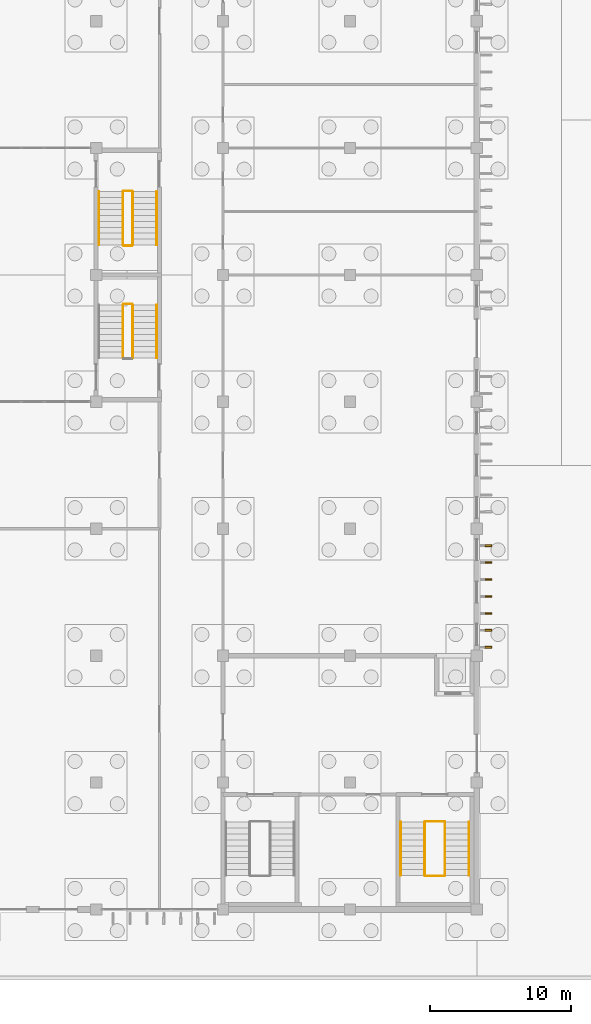
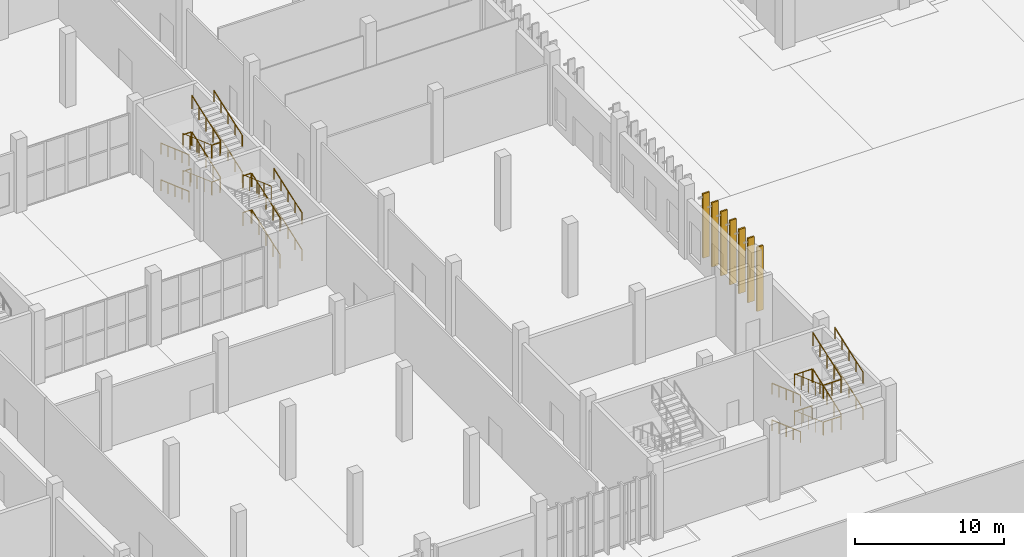
# One storey, part 139 of 198: 31 railings, 7 coverings.
"""IFC4 building model written with IfcOpenShell, lengths in metres."""

from ifc_helpers import new_model, si_unit, direction, frame, origin, origin_2d, place, context, subcontext, project, spatial, rectangle, circle, extrude, material, layer, layer_set, constituent, constituent_set, type_object, element, save


model = new_model("IFC4")

# Units and contexts
model_context = context("Model", 3, precision=1e-05, world=origin(), true_north=direction((0.0, 1.0)))
body_context = subcontext(model_context, "Body", "Model", "MODEL_VIEW")
ifc_project = project(units=[si_unit("LENGTHUNIT", "METRE"), si_unit("AREAUNIT", "SQUARE_METRE"), si_unit("VOLUMEUNIT", "CUBIC_METRE"), si_unit("PLANEANGLEUNIT", "RADIAN"), si_unit("MASSUNIT", "GRAM", prefix="KILO")], contexts=[model_context])

# Site, building, storey
site_placement = place(None, origin())
site = spatial("IfcSite", under=ifc_project, at=site_placement, CompositionType="ELEMENT")
building_placement = place(site_placement, origin())
building = spatial("IfcBuilding", under=site, at=building_placement, Name="Opaline Strait Convention Centre", CompositionType="ELEMENT")
storey_placement = place(building_placement, origin())
storey = spatial("IfcBuildingStorey", under=building, at=storey_placement, Name="L00", CompositionType="ELEMENT", Elevation=0.0)

# Railings
ifc_material_1 = material(Name="Steel Q235B", Category="steel")
ifc_constituent_1 = constituent(ifc_material_1, Name="Frame")
ifc_material_2 = material(Name="Safety glass, bonded interlayer", Category="glass")
ifc_constituent_2 = constituent(ifc_material_2, Name="Infill")
ifc_constituent_set = constituent_set(constituents=[ifc_constituent_1, ifc_constituent_2], Name="Steel Q235B, Safety glass, bonded interlayer")
railing_type_1 = type_object("IfcRailingType", Name="Stair guard 1100 Q235B and glass", PredefinedType="GUARDRAIL", material=ifc_constituent_set)
railing_1_placement = place(storey_placement, frame((77.300048828125, 15.199951171875, 0.14990234375)))
element("IfcRailing", 1, at=railing_1_placement, inside=storey, type_object=railing_type_1, Name="L00 SEA stair guard 1", PredefinedType="GUARDRAIL", context=body_context, shape_type="SweptSolid", body=[
    extrude(circle(Radius=0.02392578125, at=origin_2d()), frame((0.0, 0.0, 1.076171875), z_axis=(0.0, -0.941735030876, 0.336355662388), x_axis=(1.0, 0.0, 0.0)), (0.0, 0.0, 1.0), 4.013916015625),
    extrude(circle(Radius=0.02099609375, at=origin_2d()), origin(), (0.0, 0.0, 1.0), 1.052001953125),
    extrude(circle(Radius=0.02099609375, at=origin_2d()), frame((0.0, -0.945068359375, 0.33740234375)), (0.0, 0.0, 1.0), 1.052001953125),
    extrude(circle(Radius=0.02099609375, at=origin_2d()), frame((0.0, -1.89013671875, 0.675048828125)), (0.0, 0.0, 1.0), 1.052001953125),
    extrude(circle(Radius=0.02099609375, at=origin_2d()), frame((0.0, -2.8349609375, 1.0126953125)), (0.0, 0.0, 1.0), 1.052001953125),
    extrude(circle(Radius=0.02099609375, at=origin_2d()), frame((0.0, -3.780029296875, 1.35009765625)), (0.0, 0.0, 1.0), 1.052001953125),
])
railing_2_placement = place(storey_placement, frame((77.35009765625, 11.3701171875, 1.5)))
element("IfcRailing", 2, at=railing_2_placement, inside=storey, type_object=railing_type_1, Name="L00 SEA stair guard 2", PredefinedType="GUARDRAIL", context=body_context, shape_type="SweptSolid", body=[
    extrude(circle(Radius=0.02392578125, at=origin_2d()), frame((0.0, 0.0, 1.076171875), z_axis=(1.0, 0.0, 0.0), x_axis=(0.0, 1.0, 0.0)), (0.0, 0.0, 1.0), 1.349853515625),
    extrude(circle(Radius=0.02099609375, at=origin_2d()), origin(), (0.0, 0.0, 1.0), 1.052001953125),
    extrude(circle(Radius=0.02099609375, at=origin_2d()), frame((0.6748046875, 0.0, 0.0)), (0.0, 0.0, 1.0), 1.052001953125),
    extrude(circle(Radius=0.02099609375, at=origin_2d()), frame((1.349853515625, 0.0, 0.0)), (0.0, 0.0, 1.0), 1.052001953125),
])
railing_3_placement = place(storey_placement, frame((78.75, 11.419921875, 1.64990234375)))
element("IfcRailing", 3, at=railing_3_placement, inside=storey, type_object=railing_type_1, Name="L00 SEA stair guard 3", PredefinedType="GUARDRAIL", context=body_context, shape_type="SweptSolid", body=[
    extrude(circle(Radius=0.02392578125, at=origin_2d()), frame((0.0, 0.0, 1.076171875), z_axis=(0.0, 0.941735030876, 0.336355662388), x_axis=(-1.0, 0.0, 0.0)), (0.0, 0.0, 1.0), 4.013916015625),
    extrude(circle(Radius=0.02099609375, at=origin_2d()), origin(), (0.0, 0.0, 1.0), 1.052001953125),
    extrude(circle(Radius=0.02099609375, at=origin_2d()), frame((0.0, 0.945068359375, 0.33740234375)), (0.0, 0.0, 1.0), 1.052001953125),
    extrude(circle(Radius=0.02099609375, at=origin_2d()), frame((0.0, 1.89013671875, 0.675048828125)), (0.0, 0.0, 1.0), 1.052001953125),
    extrude(circle(Radius=0.02099609375, at=origin_2d()), frame((0.0, 2.8349609375, 1.0126953125)), (0.0, 0.0, 1.0), 1.052001953125),
    extrude(circle(Radius=0.02099609375, at=origin_2d()), frame((0.0, 3.780029296875, 1.35009765625)), (0.0, 0.0, 1.0), 1.052001953125),
])
railing_4_placement = place(storey_placement, frame((77.35009765625, 15.25, 3.0)))
element("IfcRailing", 4, at=railing_4_placement, inside=storey, type_object=railing_type_1, Name="L00 SEA stair guard 4", PredefinedType="GUARDRAIL", context=body_context, shape_type="SweptSolid", body=[
    extrude(circle(Radius=0.02392578125, at=origin_2d()), frame((0.0, 0.0, 1.076171875), z_axis=(1.0, 0.0, 0.0), x_axis=(0.0, 1.0, 0.0)), (0.0, 0.0, 1.0), 1.349853515625),
    extrude(circle(Radius=0.02099609375, at=origin_2d()), origin(), (0.0, 0.0, 1.0), 1.052001953125),
    extrude(circle(Radius=0.02099609375, at=origin_2d()), frame((0.6748046875, 0.0, 0.0)), (0.0, 0.0, 1.0), 1.052001953125),
    extrude(circle(Radius=0.02099609375, at=origin_2d()), frame((1.349853515625, 0.0, 0.0)), (0.0, 0.0, 1.0), 1.052001953125),
])
railing_5_placement = place(storey_placement, frame((77.300048828125, 15.199951171875, 3.14990234375)))
element("IfcRailing", 5, at=railing_5_placement, inside=storey, type_object=railing_type_1, Name="L00 SEA stair guard 5", PredefinedType="GUARDRAIL", context=body_context, shape_type="SweptSolid", body=[
    extrude(circle(Radius=0.02392578125, at=origin_2d()), frame((0.0, 0.0, 1.076171875), z_axis=(0.0, -0.941735030876, 0.336355662388), x_axis=(1.0, 0.0, 0.0)), (0.0, 0.0, 1.0), 4.013916015625),
    extrude(circle(Radius=0.02099609375, at=origin_2d()), origin(), (0.0, 0.0, 1.0), 1.052001953125),
    extrude(circle(Radius=0.02099609375, at=origin_2d()), frame((0.0, -0.945068359375, 0.33740234375)), (0.0, 0.0, 1.0), 1.052001953125),
    extrude(circle(Radius=0.02099609375, at=origin_2d()), frame((0.0, -1.89013671875, 0.675048828125)), (0.0, 0.0, 1.0), 1.052001953125),
    extrude(circle(Radius=0.02099609375, at=origin_2d()), frame((0.0, -2.8349609375, 1.0126953125)), (0.0, 0.0, 1.0), 1.052001953125),
    extrude(circle(Radius=0.02099609375, at=origin_2d()), frame((0.0, -3.780029296875, 1.35009765625)), (0.0, 0.0, 1.0), 1.052001953125),
])
railing_6_placement = place(storey_placement, frame((77.35009765625, 11.3701171875, 4.5)))
element("IfcRailing", 6, at=railing_6_placement, inside=storey, type_object=railing_type_1, Name="L00 SEA stair guard 6", PredefinedType="GUARDRAIL", context=body_context, shape_type="SweptSolid", body=[
    extrude(circle(Radius=0.02392578125, at=origin_2d()), frame((0.0, 0.0, 1.076171875), z_axis=(1.0, 0.0, 0.0), x_axis=(0.0, 1.0, 0.0)), (0.0, 0.0, 1.0), 1.349853515625),
    extrude(circle(Radius=0.02099609375, at=origin_2d()), origin(), (0.0, 0.0, 1.0), 1.052001953125),
    extrude(circle(Radius=0.02099609375, at=origin_2d()), frame((0.6748046875, 0.0, 0.0)), (0.0, 0.0, 1.0), 1.052001953125),
    extrude(circle(Radius=0.02099609375, at=origin_2d()), frame((1.349853515625, 0.0, 0.0)), (0.0, 0.0, 1.0), 1.052001953125),
])
railing_7_placement = place(storey_placement, frame((78.75, 11.419921875, 4.64990234375)))
element("IfcRailing", 7, at=railing_7_placement, inside=storey, type_object=railing_type_1, Name="L00 SEA stair guard 7", PredefinedType="GUARDRAIL", context=body_context, shape_type="SweptSolid", body=[
    extrude(circle(Radius=0.02392578125, at=origin_2d()), frame((0.0, 0.0, 1.076171875), z_axis=(0.0, 0.941735030876, 0.336355662388), x_axis=(-1.0, 0.0, 0.0)), (0.0, 0.0, 1.0), 4.013916015625),
    extrude(circle(Radius=0.02099609375, at=origin_2d()), origin(), (0.0, 0.0, 1.0), 1.052001953125),
    extrude(circle(Radius=0.02099609375, at=origin_2d()), frame((0.0, 0.945068359375, 0.33740234375)), (0.0, 0.0, 1.0), 1.052001953125),
    extrude(circle(Radius=0.02099609375, at=origin_2d()), frame((0.0, 1.89013671875, 0.675048828125)), (0.0, 0.0, 1.0), 1.052001953125),
    extrude(circle(Radius=0.02099609375, at=origin_2d()), frame((0.0, 2.8349609375, 1.0126953125)), (0.0, 0.0, 1.0), 1.052001953125),
    extrude(circle(Radius=0.02099609375, at=origin_2d()), frame((0.0, 3.780029296875, 1.35009765625)), (0.0, 0.0, 1.0), 1.052001953125),
])
railing_8_placement = place(storey_placement, frame((77.35009765625, 15.25, 0.0)))
element("IfcRailing", 8, at=railing_8_placement, inside=storey, type_object=railing_type_1, Name="L00 SEA stair guard 8", PredefinedType="GUARDRAIL", context=body_context, shape_type="SweptSolid", body=[
    extrude(circle(Radius=0.02392578125, at=origin_2d()), frame((0.0, 0.0, 1.076171875), z_axis=(1.0, 0.0, 0.0), x_axis=(0.0, 1.0, 0.0)), (0.0, 0.0, 1.0), 1.349853515625),
    extrude(circle(Radius=0.02099609375, at=origin_2d()), origin(), (0.0, 0.0, 1.0), 1.052001953125),
    extrude(circle(Radius=0.02099609375, at=origin_2d()), frame((0.6748046875, 0.0, 0.0)), (0.0, 0.0, 1.0), 1.052001953125),
    extrude(circle(Radius=0.02099609375, at=origin_2d()), frame((1.349853515625, 0.0, 0.0)), (0.0, 0.0, 1.0), 1.052001953125),
])
railing_9_placement = place(storey_placement, frame((56.60009765625, 48.10009765625, 0.14990234375)))
element("IfcRailing", 9, at=railing_9_placement, inside=storey, type_object=railing_type_1, Name="L00 ME1 stair guard 1", PredefinedType="GUARDRAIL", context=body_context, shape_type="SweptSolid", body=[
    extrude(circle(Radius=0.02392578125, at=origin_2d()), frame((0.0, 0.0, 1.076171875), z_axis=(0.0, 0.941728148976, 0.336374929843), x_axis=(-1.0, 0.0, 0.0)), (0.0, 0.0, 1.0), 4.013671875),
    extrude(circle(Radius=0.02099609375, at=origin_2d()), origin(), (0.0, 0.0, 1.0), 1.052001953125),
    extrude(circle(Radius=0.02099609375, at=origin_2d()), frame((0.0, 0.94482421875, 0.33740234375)), (0.0, 0.0, 1.0), 1.052001953125),
    extrude(circle(Radius=0.02099609375, at=origin_2d()), frame((0.0, 1.889892578125, 0.675048828125)), (0.0, 0.0, 1.0), 1.052001953125),
    extrude(circle(Radius=0.02099609375, at=origin_2d()), frame((0.0, 2.8349609375, 1.0126953125)), (0.0, 0.0, 1.0), 1.052001953125),
    extrude(circle(Radius=0.02099609375, at=origin_2d()), frame((0.0, 3.77978515625, 1.35009765625)), (0.0, 0.0, 1.0), 1.052001953125),
])
railing_10_placement = place(storey_placement, frame((56.550048828125, 51.929931640625, 1.5)))
element("IfcRailing", 10, at=railing_10_placement, inside=storey, type_object=railing_type_1, Name="L00 ME1 stair guard 2", PredefinedType="GUARDRAIL", context=body_context, shape_type="SweptSolid", body=[
    extrude(circle(Radius=0.02392578125, at=origin_2d()), frame((0.0, 0.0, 1.076171875), z_axis=(-1.0, 0.0, 0.0), x_axis=(0.0, -1.0, 0.0)), (0.0, 0.0, 1.0), 0.60009765625),
    extrude(circle(Radius=0.02099609375, at=origin_2d()), origin(), (0.0, 0.0, 1.0), 1.052001953125),
    extrude(circle(Radius=0.02099609375, at=origin_2d()), frame((-0.60009765625, 0.0, 0.0)), (0.0, 0.0, 1.0), 1.052001953125),
])
railing_11_placement = place(storey_placement, frame((56.60009765625, 48.10009765625, 3.14990234375)))
element("IfcRailing", 11, at=railing_11_placement, inside=storey, type_object=railing_type_1, Name="L00 ME1 stair guard 5", PredefinedType="GUARDRAIL", context=body_context, shape_type="SweptSolid", body=[
    extrude(circle(Radius=0.02392578125, at=origin_2d()), frame((0.0, 0.0, 1.076171875), z_axis=(0.0, 0.941728148976, 0.336374929843), x_axis=(-1.0, 0.0, 0.0)), (0.0, 0.0, 1.0), 4.013671875),
    extrude(circle(Radius=0.02099609375, at=origin_2d()), origin(), (0.0, 0.0, 1.0), 1.052001953125),
    extrude(circle(Radius=0.02099609375, at=origin_2d()), frame((0.0, 0.94482421875, 0.33740234375)), (0.0, 0.0, 1.0), 1.052001953125),
    extrude(circle(Radius=0.02099609375, at=origin_2d()), frame((0.0, 1.889892578125, 0.675048828125)), (0.0, 0.0, 1.0), 1.052001953125),
    extrude(circle(Radius=0.02099609375, at=origin_2d()), frame((0.0, 2.8349609375, 1.0126953125)), (0.0, 0.0, 1.0), 1.052001953125),
    extrude(circle(Radius=0.02099609375, at=origin_2d()), frame((0.0, 3.77978515625, 1.35009765625)), (0.0, 0.0, 1.0), 1.052001953125),
])
railing_12_placement = place(storey_placement, frame((56.550048828125, 51.929931640625, 4.5)))
element("IfcRailing", 12, at=railing_12_placement, inside=storey, type_object=railing_type_1, Name="L00 ME1 stair guard 6", PredefinedType="GUARDRAIL", context=body_context, shape_type="SweptSolid", body=[
    extrude(circle(Radius=0.02392578125, at=origin_2d()), frame((0.0, 0.0, 1.076171875), z_axis=(-1.0, 0.0, 0.0), x_axis=(0.0, -1.0, 0.0)), (0.0, 0.0, 1.0), 0.60009765625),
    extrude(circle(Radius=0.02099609375, at=origin_2d()), origin(), (0.0, 0.0, 1.0), 1.052001953125),
    extrude(circle(Radius=0.02099609375, at=origin_2d()), frame((-0.60009765625, 0.0, 0.0)), (0.0, 0.0, 1.0), 1.052001953125),
])
for number, where, name in (
    (13, (55.89990234375, 51.8798828125, 4.64990234375), "L00 ME1 stair guard 7"),
    (14, (55.89990234375, 59.89990234375, 0.14990234375), "L00 ME2 stair guard 1"),
):
    element("IfcRailing", number, at=place(storey_placement, frame(where)), inside=storey, type_object=railing_type_1, Name=name, PredefinedType="GUARDRAIL", context=body_context, shape_type="SweptSolid", body=[
        extrude(circle(Radius=0.02392578125, at=origin_2d()), frame((0.0, 0.0, 1.076171875), z_axis=(0.0, -0.941728148976, 0.336374929843), x_axis=(1.0, 0.0, 0.0)), (0.0, 0.0, 1.0), 4.013671875),
        extrude(circle(Radius=0.02099609375, at=origin_2d()), origin(), (0.0, 0.0, 1.0), 1.052001953125),
        extrude(circle(Radius=0.02099609375, at=origin_2d()), frame((0.0, -0.94482421875, 0.33740234375)), (0.0, 0.0, 1.0), 1.052001953125),
        extrude(circle(Radius=0.02099609375, at=origin_2d()), frame((0.0, -1.889892578125, 0.675048828125)), (0.0, 0.0, 1.0), 1.052001953125),
        extrude(circle(Radius=0.02099609375, at=origin_2d()), frame((0.0, -2.8349609375, 1.0126953125)), (0.0, 0.0, 1.0), 1.052001953125),
        extrude(circle(Radius=0.02099609375, at=origin_2d()), frame((0.0, -3.77978515625, 1.35009765625)), (0.0, 0.0, 1.0), 1.052001953125),
    ])
railing_13_placement = place(storey_placement, frame((55.949951171875, 56.070068359375, 1.5)))
element("IfcRailing", 15, at=railing_13_placement, inside=storey, type_object=railing_type_1, Name="L00 ME2 stair guard 2", PredefinedType="GUARDRAIL", context=body_context, shape_type="SweptSolid", body=[
    extrude(circle(Radius=0.02392578125, at=origin_2d()), frame((0.0, 0.0, 1.076171875), z_axis=(1.0, 0.0, 0.0), x_axis=(0.0, 1.0, 0.0)), (0.0, 0.0, 1.0), 0.60009765625),
    extrude(circle(Radius=0.02099609375, at=origin_2d()), origin(), (0.0, 0.0, 1.0), 1.052001953125),
    extrude(circle(Radius=0.02099609375, at=origin_2d()), frame((0.60009765625, 0.0, 0.0)), (0.0, 0.0, 1.0), 1.052001953125),
])
railing_14_placement = place(storey_placement, frame((56.60009765625, 56.1201171875, 1.64990234375)))
element("IfcRailing", 16, at=railing_14_placement, inside=storey, type_object=railing_type_1, Name="L00 ME2 stair guard 3", PredefinedType="GUARDRAIL", context=body_context, shape_type="SweptSolid", body=[
    extrude(circle(Radius=0.02392578125, at=origin_2d()), frame((0.0, 0.0, 1.076171875), z_axis=(0.0, 0.941728148976, 0.336374929843), x_axis=(-1.0, 0.0, 0.0)), (0.0, 0.0, 1.0), 4.013671875),
    extrude(circle(Radius=0.02099609375, at=origin_2d()), origin(), (0.0, 0.0, 1.0), 1.052001953125),
    extrude(circle(Radius=0.02099609375, at=origin_2d()), frame((0.0, 0.94482421875, 0.33740234375)), (0.0, 0.0, 1.0), 1.052001953125),
    extrude(circle(Radius=0.02099609375, at=origin_2d()), frame((0.0, 1.889892578125, 0.675048828125)), (0.0, 0.0, 1.0), 1.052001953125),
    extrude(circle(Radius=0.02099609375, at=origin_2d()), frame((0.0, 2.8349609375, 1.0126953125)), (0.0, 0.0, 1.0), 1.052001953125),
    extrude(circle(Radius=0.02099609375, at=origin_2d()), frame((0.0, 3.77978515625, 1.35009765625)), (0.0, 0.0, 1.0), 1.052001953125),
])
railing_15_placement = place(storey_placement, frame((55.949951171875, 59.949951171875, 3.0)))
element("IfcRailing", 17, at=railing_15_placement, inside=storey, type_object=railing_type_1, Name="L00 ME2 stair guard 4", PredefinedType="GUARDRAIL", context=body_context, shape_type="SweptSolid", body=[
    extrude(circle(Radius=0.02392578125, at=origin_2d()), frame((0.0, 0.0, 1.076171875), z_axis=(1.0, 0.0, 0.0), x_axis=(0.0, 1.0, 0.0)), (0.0, 0.0, 1.0), 0.60009765625),
    extrude(circle(Radius=0.02099609375, at=origin_2d()), origin(), (0.0, 0.0, 1.0), 1.052001953125),
    extrude(circle(Radius=0.02099609375, at=origin_2d()), frame((0.60009765625, 0.0, 0.0)), (0.0, 0.0, 1.0), 1.052001953125),
])
railing_16_placement = place(storey_placement, frame((55.89990234375, 59.89990234375, 3.14990234375)))
element("IfcRailing", 18, at=railing_16_placement, inside=storey, type_object=railing_type_1, Name="L00 ME2 stair guard 5", PredefinedType="GUARDRAIL", context=body_context, shape_type="SweptSolid", body=[
    extrude(circle(Radius=0.02392578125, at=origin_2d()), frame((0.0, 0.0, 1.076171875), z_axis=(0.0, -0.941728148976, 0.336374929843), x_axis=(1.0, 0.0, 0.0)), (0.0, 0.0, 1.0), 4.013671875),
    extrude(circle(Radius=0.02099609375, at=origin_2d()), origin(), (0.0, 0.0, 1.0), 1.052001953125),
    extrude(circle(Radius=0.02099609375, at=origin_2d()), frame((0.0, -0.94482421875, 0.33740234375)), (0.0, 0.0, 1.0), 1.052001953125),
    extrude(circle(Radius=0.02099609375, at=origin_2d()), frame((0.0, -1.889892578125, 0.675048828125)), (0.0, 0.0, 1.0), 1.052001953125),
    extrude(circle(Radius=0.02099609375, at=origin_2d()), frame((0.0, -2.8349609375, 1.0126953125)), (0.0, 0.0, 1.0), 1.052001953125),
    extrude(circle(Radius=0.02099609375, at=origin_2d()), frame((0.0, -3.77978515625, 1.35009765625)), (0.0, 0.0, 1.0), 1.052001953125),
])
railing_17_placement = place(storey_placement, frame((55.949951171875, 56.070068359375, 4.5)))
element("IfcRailing", 19, at=railing_17_placement, inside=storey, type_object=railing_type_1, Name="L00 ME2 stair guard 6", PredefinedType="GUARDRAIL", context=body_context, shape_type="SweptSolid", body=[
    extrude(circle(Radius=0.02392578125, at=origin_2d()), frame((0.0, 0.0, 1.076171875), z_axis=(1.0, 0.0, 0.0), x_axis=(0.0, 1.0, 0.0)), (0.0, 0.0, 1.0), 0.60009765625),
    extrude(circle(Radius=0.02099609375, at=origin_2d()), origin(), (0.0, 0.0, 1.0), 1.052001953125),
    extrude(circle(Radius=0.02099609375, at=origin_2d()), frame((0.60009765625, 0.0, 0.0)), (0.0, 0.0, 1.0), 1.052001953125),
])
railing_18_placement = place(storey_placement, frame((56.60009765625, 56.1201171875, 4.64990234375)))
element("IfcRailing", 20, at=railing_18_placement, inside=storey, type_object=railing_type_1, Name="L00 ME2 stair guard 7", PredefinedType="GUARDRAIL", context=body_context, shape_type="SweptSolid", body=[
    extrude(circle(Radius=0.02392578125, at=origin_2d()), frame((0.0, 0.0, 1.076171875), z_axis=(0.0, 0.941728148976, 0.336374929843), x_axis=(-1.0, 0.0, 0.0)), (0.0, 0.0, 1.0), 4.013671875),
    extrude(circle(Radius=0.02099609375, at=origin_2d()), origin(), (0.0, 0.0, 1.0), 1.052001953125),
    extrude(circle(Radius=0.02099609375, at=origin_2d()), frame((0.0, 0.94482421875, 0.33740234375)), (0.0, 0.0, 1.0), 1.052001953125),
    extrude(circle(Radius=0.02099609375, at=origin_2d()), frame((0.0, 1.889892578125, 0.675048828125)), (0.0, 0.0, 1.0), 1.052001953125),
    extrude(circle(Radius=0.02099609375, at=origin_2d()), frame((0.0, 2.8349609375, 1.0126953125)), (0.0, 0.0, 1.0), 1.052001953125),
    extrude(circle(Radius=0.02099609375, at=origin_2d()), frame((0.0, 3.77978515625, 1.35009765625)), (0.0, 0.0, 1.0), 1.052001953125),
])
railing_19_placement = place(storey_placement, frame((55.949951171875, 59.949951171875, 0.0)))
element("IfcRailing", 21, at=railing_19_placement, inside=storey, type_object=railing_type_1, Name="L00 ME2 stair guard 8", PredefinedType="GUARDRAIL", context=body_context, shape_type="SweptSolid", body=[
    extrude(circle(Radius=0.02392578125, at=origin_2d()), frame((0.0, 0.0, 1.076171875), z_axis=(1.0, 0.0, 0.0), x_axis=(0.0, 1.0, 0.0)), (0.0, 0.0, 1.0), 0.60009765625),
    extrude(circle(Radius=0.02099609375, at=origin_2d()), origin(), (0.0, 0.0, 1.0), 1.052001953125),
    extrude(circle(Radius=0.02099609375, at=origin_2d()), frame((0.60009765625, 0.0, 0.0)), (0.0, 0.0, 1.0), 1.052001953125),
])
ifc_material_3 = material(Name="Stainless steel 304", Category="steel")
railing_type_2 = type_object("IfcRailingType", Name="Stair handrail 900 stainless 304", PredefinedType="HANDRAIL", material=ifc_material_3)
railing_20_placement = place(storey_placement, frame((75.60009765625, 15.199951171875, 0.14990234375)))
element("IfcRailing", 22, at=railing_20_placement, inside=storey, type_object=railing_type_2, Name="L00 SEA stair handrail 1", PredefinedType="HANDRAIL", context=body_context, shape_type="SweptSolid", body=[
    extrude(circle(Radius=0.02392578125, at=origin_2d()), frame((0.0, 0.0, 0.8759765625), z_axis=(0.0, -0.941735030876, 0.336355662388), x_axis=(1.0, 0.0, 0.0)), (0.0, 0.0, 1.0), 4.013916015625),
    extrude(circle(Radius=0.02099609375, at=origin_2d()), origin(), (0.0, 0.0, 1.0), 0.851806640625),
    extrude(circle(Radius=0.02099609375, at=origin_2d()), frame((0.0, -0.945068359375, 0.33740234375)), (0.0, 0.0, 1.0), 0.851806640625),
    extrude(circle(Radius=0.02099609375, at=origin_2d()), frame((0.0, -1.89013671875, 0.675048828125)), (0.0, 0.0, 1.0), 0.851806640625),
    extrude(circle(Radius=0.02099609375, at=origin_2d()), frame((0.0, -2.8349609375, 1.0126953125)), (0.0, 0.0, 1.0), 0.851806640625),
    extrude(circle(Radius=0.02099609375, at=origin_2d()), frame((0.0, -3.780029296875, 1.35009765625)), (0.0, 0.0, 1.0), 0.851806640625),
])
railing_21_placement = place(storey_placement, frame((80.449951171875, 11.419921875, 1.64990234375)))
element("IfcRailing", 23, at=railing_21_placement, inside=storey, type_object=railing_type_2, Name="L00 SEA stair handrail 2", PredefinedType="HANDRAIL", context=body_context, shape_type="SweptSolid", body=[
    extrude(circle(Radius=0.02392578125, at=origin_2d()), frame((0.0, 0.0, 0.8759765625), z_axis=(0.0, 0.941735030876, 0.336355662388), x_axis=(-1.0, 0.0, 0.0)), (0.0, 0.0, 1.0), 4.013916015625),
    extrude(circle(Radius=0.02099609375, at=origin_2d()), origin(), (0.0, 0.0, 1.0), 0.851806640625),
    extrude(circle(Radius=0.02099609375, at=origin_2d()), frame((0.0, 0.945068359375, 0.33740234375)), (0.0, 0.0, 1.0), 0.851806640625),
    extrude(circle(Radius=0.02099609375, at=origin_2d()), frame((0.0, 1.89013671875, 0.675048828125)), (0.0, 0.0, 1.0), 0.851806640625),
    extrude(circle(Radius=0.02099609375, at=origin_2d()), frame((0.0, 2.8349609375, 1.0126953125)), (0.0, 0.0, 1.0), 0.851806640625),
    extrude(circle(Radius=0.02099609375, at=origin_2d()), frame((0.0, 3.780029296875, 1.35009765625)), (0.0, 0.0, 1.0), 0.851806640625),
])
railing_22_placement = place(storey_placement, frame((75.60009765625, 15.199951171875, 3.14990234375)))
element("IfcRailing", 24, at=railing_22_placement, inside=storey, type_object=railing_type_2, Name="L00 SEA stair handrail 3", PredefinedType="HANDRAIL", context=body_context, shape_type="SweptSolid", body=[
    extrude(circle(Radius=0.02392578125, at=origin_2d()), frame((0.0, 0.0, 0.8759765625), z_axis=(0.0, -0.941735030876, 0.336355662388), x_axis=(1.0, 0.0, 0.0)), (0.0, 0.0, 1.0), 4.013916015625),
    extrude(circle(Radius=0.02099609375, at=origin_2d()), origin(), (0.0, 0.0, 1.0), 0.851806640625),
    extrude(circle(Radius=0.02099609375, at=origin_2d()), frame((0.0, -0.945068359375, 0.33740234375)), (0.0, 0.0, 1.0), 0.851806640625),
    extrude(circle(Radius=0.02099609375, at=origin_2d()), frame((0.0, -1.89013671875, 0.675048828125)), (0.0, 0.0, 1.0), 0.851806640625),
    extrude(circle(Radius=0.02099609375, at=origin_2d()), frame((0.0, -2.8349609375, 1.0126953125)), (0.0, 0.0, 1.0), 0.851806640625),
    extrude(circle(Radius=0.02099609375, at=origin_2d()), frame((0.0, -3.780029296875, 1.35009765625)), (0.0, 0.0, 1.0), 0.851806640625),
])
railing_23_placement = place(storey_placement, frame((80.449951171875, 11.419921875, 4.64990234375)))
element("IfcRailing", 25, at=railing_23_placement, inside=storey, type_object=railing_type_2, Name="L00 SEA stair handrail 4", PredefinedType="HANDRAIL", context=body_context, shape_type="SweptSolid", body=[
    extrude(circle(Radius=0.02392578125, at=origin_2d()), frame((0.0, 0.0, 0.8759765625), z_axis=(0.0, 0.941735030876, 0.336355662388), x_axis=(-1.0, 0.0, 0.0)), (0.0, 0.0, 1.0), 4.013916015625),
    extrude(circle(Radius=0.02099609375, at=origin_2d()), origin(), (0.0, 0.0, 1.0), 0.851806640625),
    extrude(circle(Radius=0.02099609375, at=origin_2d()), frame((0.0, 0.945068359375, 0.33740234375)), (0.0, 0.0, 1.0), 0.851806640625),
    extrude(circle(Radius=0.02099609375, at=origin_2d()), frame((0.0, 1.89013671875, 0.675048828125)), (0.0, 0.0, 1.0), 0.851806640625),
    extrude(circle(Radius=0.02099609375, at=origin_2d()), frame((0.0, 2.8349609375, 1.0126953125)), (0.0, 0.0, 1.0), 0.851806640625),
    extrude(circle(Radius=0.02099609375, at=origin_2d()), frame((0.0, 3.780029296875, 1.35009765625)), (0.0, 0.0, 1.0), 0.851806640625),
])
for number, where, name in (
    (26, (58.300048828125, 48.10009765625, 0.14990234375), "L00 ME1 stair handrail 1"),
    (27, (58.300048828125, 48.10009765625, 3.14990234375), "L00 ME1 stair handrail 3"),
):
    element("IfcRailing", number, at=place(storey_placement, frame(where)), inside=storey, type_object=railing_type_2, Name=name, PredefinedType="HANDRAIL", context=body_context, shape_type="SweptSolid", body=[
        extrude(circle(Radius=0.02392578125, at=origin_2d()), frame((0.0, 0.0, 0.8759765625), z_axis=(0.0, 0.941728148976, 0.336374929843), x_axis=(-1.0, 0.0, 0.0)), (0.0, 0.0, 1.0), 4.013671875),
        extrude(circle(Radius=0.02099609375, at=origin_2d()), origin(), (0.0, 0.0, 1.0), 0.851806640625),
        extrude(circle(Radius=0.02099609375, at=origin_2d()), frame((0.0, 0.94482421875, 0.33740234375)), (0.0, 0.0, 1.0), 0.851806640625),
        extrude(circle(Radius=0.02099609375, at=origin_2d()), frame((0.0, 1.889892578125, 0.675048828125)), (0.0, 0.0, 1.0), 0.851806640625),
        extrude(circle(Radius=0.02099609375, at=origin_2d()), frame((0.0, 2.8349609375, 1.0126953125)), (0.0, 0.0, 1.0), 0.851806640625),
        extrude(circle(Radius=0.02099609375, at=origin_2d()), frame((0.0, 3.77978515625, 1.35009765625)), (0.0, 0.0, 1.0), 0.851806640625),
    ])
railing_24_placement = place(storey_placement, frame((54.199951171875, 59.89990234375, 0.14990234375)))
element("IfcRailing", 28, at=railing_24_placement, inside=storey, type_object=railing_type_2, Name="L00 ME2 stair handrail 1", PredefinedType="HANDRAIL", context=body_context, shape_type="SweptSolid", body=[
    extrude(circle(Radius=0.02392578125, at=origin_2d()), frame((0.0, 0.0, 0.8759765625), z_axis=(0.0, -0.941728148976, 0.336374929843), x_axis=(1.0, 0.0, 0.0)), (0.0, 0.0, 1.0), 4.013671875),
    extrude(circle(Radius=0.02099609375, at=origin_2d()), origin(), (0.0, 0.0, 1.0), 0.851806640625),
    extrude(circle(Radius=0.02099609375, at=origin_2d()), frame((0.0, -0.94482421875, 0.33740234375)), (0.0, 0.0, 1.0), 0.851806640625),
    extrude(circle(Radius=0.02099609375, at=origin_2d()), frame((0.0, -1.889892578125, 0.675048828125)), (0.0, 0.0, 1.0), 0.851806640625),
    extrude(circle(Radius=0.02099609375, at=origin_2d()), frame((0.0, -2.8349609375, 1.0126953125)), (0.0, 0.0, 1.0), 0.851806640625),
    extrude(circle(Radius=0.02099609375, at=origin_2d()), frame((0.0, -3.77978515625, 1.35009765625)), (0.0, 0.0, 1.0), 0.851806640625),
])
railing_25_placement = place(storey_placement, frame((58.300048828125, 56.1201171875, 1.64990234375)))
element("IfcRailing", 29, at=railing_25_placement, inside=storey, type_object=railing_type_2, Name="L00 ME2 stair handrail 2", PredefinedType="HANDRAIL", context=body_context, shape_type="SweptSolid", body=[
    extrude(circle(Radius=0.02392578125, at=origin_2d()), frame((0.0, 0.0, 0.8759765625), z_axis=(0.0, 0.941728148976, 0.336374929843), x_axis=(-1.0, 0.0, 0.0)), (0.0, 0.0, 1.0), 4.013671875),
    extrude(circle(Radius=0.02099609375, at=origin_2d()), origin(), (0.0, 0.0, 1.0), 0.851806640625),
    extrude(circle(Radius=0.02099609375, at=origin_2d()), frame((0.0, 0.94482421875, 0.33740234375)), (0.0, 0.0, 1.0), 0.851806640625),
    extrude(circle(Radius=0.02099609375, at=origin_2d()), frame((0.0, 1.889892578125, 0.675048828125)), (0.0, 0.0, 1.0), 0.851806640625),
    extrude(circle(Radius=0.02099609375, at=origin_2d()), frame((0.0, 2.8349609375, 1.0126953125)), (0.0, 0.0, 1.0), 0.851806640625),
    extrude(circle(Radius=0.02099609375, at=origin_2d()), frame((0.0, 3.77978515625, 1.35009765625)), (0.0, 0.0, 1.0), 0.851806640625),
])
railing_26_placement = place(storey_placement, frame((54.199951171875, 59.89990234375, 3.14990234375)))
element("IfcRailing", 30, at=railing_26_placement, inside=storey, type_object=railing_type_2, Name="L00 ME2 stair handrail 3", PredefinedType="HANDRAIL", context=body_context, shape_type="SweptSolid", body=[
    extrude(circle(Radius=0.02392578125, at=origin_2d()), frame((0.0, 0.0, 0.8759765625), z_axis=(0.0, -0.941728148976, 0.336374929843), x_axis=(1.0, 0.0, 0.0)), (0.0, 0.0, 1.0), 4.013671875),
    extrude(circle(Radius=0.02099609375, at=origin_2d()), origin(), (0.0, 0.0, 1.0), 0.851806640625),
    extrude(circle(Radius=0.02099609375, at=origin_2d()), frame((0.0, -0.94482421875, 0.33740234375)), (0.0, 0.0, 1.0), 0.851806640625),
    extrude(circle(Radius=0.02099609375, at=origin_2d()), frame((0.0, -1.889892578125, 0.675048828125)), (0.0, 0.0, 1.0), 0.851806640625),
    extrude(circle(Radius=0.02099609375, at=origin_2d()), frame((0.0, -2.8349609375, 1.0126953125)), (0.0, 0.0, 1.0), 0.851806640625),
    extrude(circle(Radius=0.02099609375, at=origin_2d()), frame((0.0, -3.77978515625, 1.35009765625)), (0.0, 0.0, 1.0), 0.851806640625),
])
railing_27_placement = place(storey_placement, frame((58.300048828125, 56.1201171875, 4.64990234375)))
element("IfcRailing", 31, at=railing_27_placement, inside=storey, type_object=railing_type_2, Name="L00 ME2 stair handrail 4", PredefinedType="HANDRAIL", context=body_context, shape_type="SweptSolid", body=[
    extrude(circle(Radius=0.02392578125, at=origin_2d()), frame((0.0, 0.0, 0.8759765625), z_axis=(0.0, 0.941728148976, 0.336374929843), x_axis=(-1.0, 0.0, 0.0)), (0.0, 0.0, 1.0), 4.013671875),
    extrude(circle(Radius=0.02099609375, at=origin_2d()), origin(), (0.0, 0.0, 1.0), 0.851806640625),
    extrude(circle(Radius=0.02099609375, at=origin_2d()), frame((0.0, 0.94482421875, 0.33740234375)), (0.0, 0.0, 1.0), 0.851806640625),
    extrude(circle(Radius=0.02099609375, at=origin_2d()), frame((0.0, 1.889892578125, 0.675048828125)), (0.0, 0.0, 1.0), 0.851806640625),
    extrude(circle(Radius=0.02099609375, at=origin_2d()), frame((0.0, 2.8349609375, 1.0126953125)), (0.0, 0.0, 1.0), 0.851806640625),
    extrude(circle(Radius=0.02099609375, at=origin_2d()), frame((0.0, 3.77978515625, 1.35009765625)), (0.0, 0.0, 1.0), 0.851806640625),
])

# Coverings
ifc_material_4 = material(Name="Powder-coated white aluminium", Category="aluminium")
ifc_layer = layer(ifc_material_4, 0.1201171875)
ifc_layer_set = layer_set([ifc_layer], Name="Powder-coated white aluminium")
covering_type = type_object("IfcCoveringType", Name="Storm louvre fin 120x500x5250", PredefinedType="CLADDING", material=ifc_layer_set)
for number, where, z_axis, x_axis, name in (
    (32, (81.800048828125, 27.60009765625, 0.300048828125), (0.0, 0.0, 1.0), (1.0, 0.0, 0.0), "Storm louvre fin E L00"),
    (33, (81.800048828125, 28.800048828125, 0.300048828125), (0.0, 0.0, 1.0), (1.0, 0.0, 0.0), "Storm louvre fin E L00"),
    (34, (81.800048828125, 30.0, 0.300048828125), (0.0, 0.0, 1.0), (1.0, 0.0, 0.0), "Storm louvre fin E L00"),
    (35, (81.800048828125, 31.199951171875, 0.300048828125), (0.0, 0.0, 1.0), (1.0, 0.0, 0.0), "Storm louvre fin E L00"),
    (36, (81.800048828125, 32.39990234375, 0.300048828125), (0.0, 0.0, 1.0), (1.0, 0.0, 0.0), "Storm louvre fin E L00"),
    (37, (81.800048828125, 33.60009765625, 0.300048828125), (0.0, 0.0, 1.0), (1.0, 0.0, 0.0), "Storm louvre fin E L00"),
    (38, (81.800048828125, 34.800048828125, 0.300048828125), (0.0, 0.0, 1.0), (1.0, 0.0, 0.0), "Storm louvre fin E L00"),
):
    element("IfcCovering", number, at=place(storey_placement, frame(where, z_axis=z_axis, x_axis=x_axis)), inside=storey, type_object=covering_type, Name=name, PredefinedType="CLADDING", context=body_context, shape_type="SweptSolid", body=[
        extrude(rectangle(XDim=0.5, YDim=0.1201171875, at=origin_2d()), origin(), (0.0, 0.0, 1.0), 5.25),
    ])

save(model, "model.ifc")
